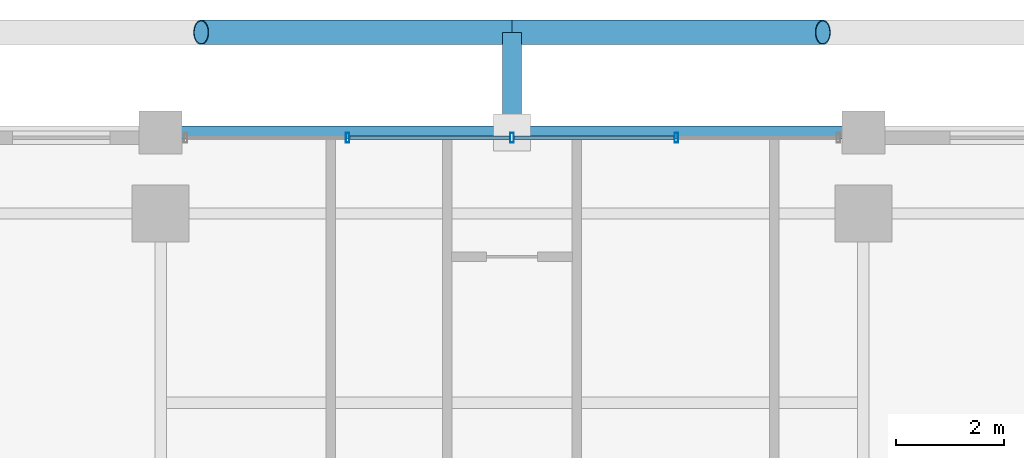
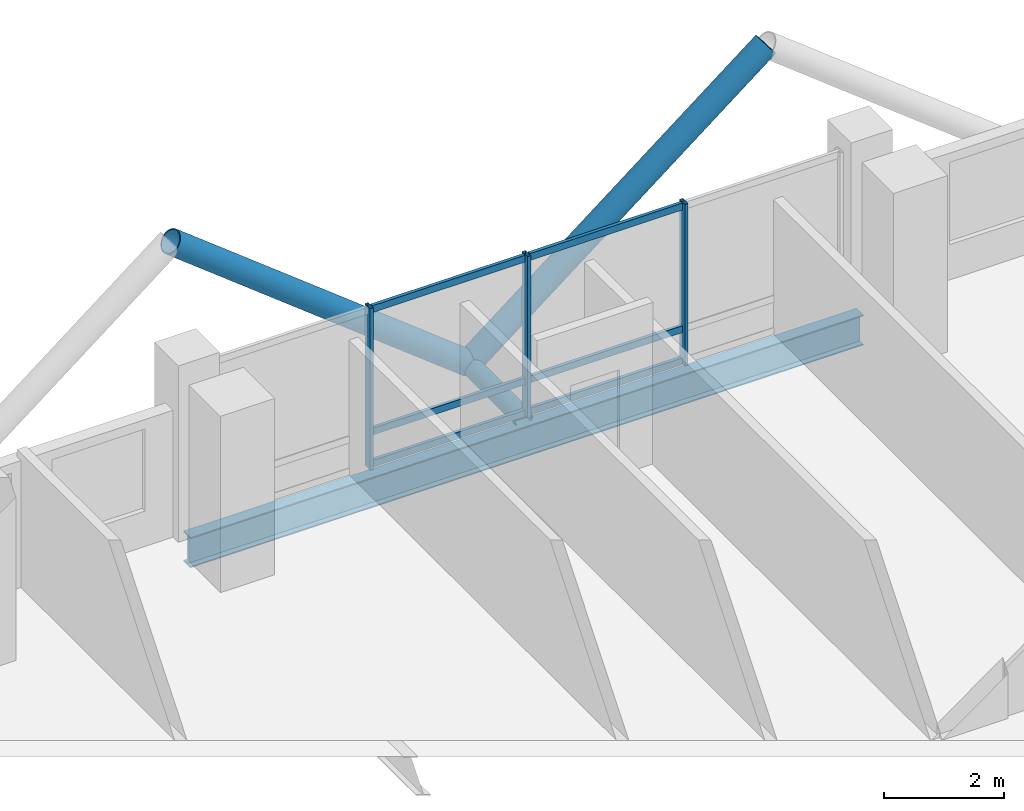
# One storey, part 17 of 25: 12 members, 1 beam, 1 element without a shape of its own.
"""IFC4 building model written with IfcOpenShell, lengths in metres."""

from ifc_helpers import new_model, si_unit, direction, frame, origin, origin_2d, place, context, subcontext, project, spatial, hollow_rectangle, hollow_circle, i_section, extrude, material, layer, layer_set, material_profile, profile_set, type_object, element, aggregate, save


model = new_model("IFC4")

# Units and contexts
model_context = context("Model", 3, precision=1e-05, world=origin(), true_north=direction((0.0, 1.0)))
body_context = subcontext(model_context, "Body", "Model", "MODEL_VIEW")
ifc_project = project(units=[si_unit("LENGTHUNIT", "METRE"), si_unit("AREAUNIT", "SQUARE_METRE"), si_unit("VOLUMEUNIT", "CUBIC_METRE"), si_unit("PLANEANGLEUNIT", "RADIAN"), si_unit("MASSUNIT", "GRAM", prefix="KILO")], contexts=[model_context])

# Site, building, storey
site_placement = place(None, origin())
site = spatial("IfcSite", under=ifc_project, at=site_placement, CompositionType="ELEMENT")
building_placement = place(site_placement, origin())
building = spatial("IfcBuilding", under=site, at=building_placement, Name="Barlavira Tower and Art Museum", CompositionType="ELEMENT")
storey_placement = place(building_placement, frame((0.0, 0.0, 208.800048828125)))
storey = spatial("IfcBuildingStorey", under=building, at=storey_placement, Name="L54", CompositionType="ELEMENT", Elevation=208.800048828125)

# Curtain wall, members
ifc_material_1 = material(Name="Low-iron coastal laminated glass", Category="glass")
ifc_layer = layer(ifc_material_1, 0.199951171875, Name="Low-iron coastal laminated glass")
ifc_layer_set = layer_set([ifc_layer], Name="Low-iron coastal laminated glass")
curtain_wall_type = type_object("IfcCurtainWallType", Name="Pale-Metal Unitised Curtain Wall Zone 3", PredefinedType="NOTDEFINED", material=ifc_layer_set)
curtain_wall_placement = place(storey_placement, origin())
curtain_wall = element("IfcCurtainWall", 1, at=curtain_wall_placement, inside=storey, type_object=curtain_wall_type, Name="L54 Curtain Wall CW3-L54-N-B3", PredefinedType="NOTDEFINED")
ifc_material_2 = material(Name="Pale anodised aluminium", Category="aluminium")
ifc_material_profile_1 = material_profile(ifc_material_2, hollow_rectangle(XDim=0.06494140625, YDim=0.179931640625, WallThickness=0.00390625, at=origin_2d()), Name="ALU-MULL 65x180x4")
ifc_profile_set_1 = profile_set([ifc_material_profile_1], Name="Pale anodised aluminium")
member_type_1 = type_object("IfcMemberType", Name="Curtain Wall Pale-Metal Mullion 65x180", PredefinedType="MULLION", material=ifc_profile_set_1)
member_1_placement = place(storey_placement, frame((3.0400390625, 21.39990234375, 0.0), z_axis=(0.0, 0.0, 1.0), x_axis=(-1.0, 0.0, 0.0)))
member_1 = element("IfcMember", 2, at=member_1_placement, type_object=member_type_1, Name="CW3-L54-N-B3 Mullion 1", PredefinedType="MULLION", context=body_context, shape_type="SweptSolid", body=[
    extrude(hollow_rectangle(XDim=0.06494140625, YDim=0.179931640625, WallThickness=0.00390625, at=origin_2d()), origin(), (0.0, 0.0, 1.0), 3.300048828125),
])
member_2_placement = place(storey_placement, frame((0.0, 21.39990234375, 0.0), z_axis=(0.0, 0.0, 1.0), x_axis=(-1.0, 0.0, 0.0)))
member_2 = element("IfcMember", 3, at=member_2_placement, type_object=member_type_1, Name="CW3-L54-N-B3 Mullion 2", PredefinedType="MULLION", context=body_context, shape_type="SweptSolid", body=[
    extrude(hollow_rectangle(XDim=0.06494140625, YDim=0.179931640625, WallThickness=0.00390625, at=origin_2d()), origin(), (0.0, 0.0, 1.0), 3.300048828125),
])
member_3_placement = place(storey_placement, frame((-3.0400390625, 21.39990234375, 0.0), z_axis=(0.0, 0.0, 1.0), x_axis=(-1.0, 0.0, 0.0)))
member_3 = element("IfcMember", 4, at=member_3_placement, type_object=member_type_1, Name="CW3-L54-N-B3 Mullion 3", PredefinedType="MULLION", context=body_context, shape_type="SweptSolid", body=[
    extrude(hollow_rectangle(XDim=0.06494140625, YDim=0.179931640625, WallThickness=0.00390625, at=origin_2d()), origin(), (0.0, 0.0, 1.0), 3.300048828125),
])
ifc_material_profile_2 = material_profile(ifc_material_2, hollow_rectangle(XDim=0.06494140625, YDim=0.139892578125, WallThickness=0.00390625, at=origin_2d()), Name="ALU-TRAN 65x140x4")
ifc_profile_set_2 = profile_set([ifc_material_profile_2], Name="Pale anodised aluminium")
member_type_2 = type_object("IfcMemberType", Name="Curtain Wall Pale-Metal Transom 65x140", PredefinedType="USERDEFINED", material=ifc_profile_set_2)
member_4_placement = place(storey_placement, frame((2.9951171875, 21.39990234375, 0.070068359375), z_axis=(-1.0, 0.0, 0.0), x_axis=(0.0, -1.0, 0.0)))
member_4 = element("IfcMember", 5, at=member_4_placement, type_object=member_type_2, Name="CW3-L54-N-B3 Transom 1.1", ObjectType="TRANSOM", PredefinedType="USERDEFINED", context=body_context, shape_type="SweptSolid", body=[
    extrude(hollow_rectangle(XDim=0.06494140625, YDim=0.139892578125, WallThickness=0.00390625, at=origin_2d()), origin(), (0.0, 0.0, 1.0), 2.9501953125),
])
member_5_placement = place(storey_placement, frame((2.9951171875, 21.39990234375, 0.725830078125), z_axis=(-1.0, 0.0, 0.0), x_axis=(0.0, -1.0, 0.0)))
member_5 = element("IfcMember", 6, at=member_5_placement, type_object=member_type_2, Name="CW3-L54-N-B3 Transom 1.2", ObjectType="TRANSOM", PredefinedType="USERDEFINED", context=body_context, shape_type="SweptSolid", body=[
    extrude(hollow_rectangle(XDim=0.06494140625, YDim=0.139892578125, WallThickness=0.00390625, at=origin_2d()), origin(), (0.0, 0.0, 1.0), 2.9501953125),
])
member_6_placement = place(storey_placement, frame((2.9951171875, 21.39990234375, 3.22998046875), z_axis=(-1.0, 0.0, 0.0), x_axis=(0.0, -1.0, 0.0)))
member_6 = element("IfcMember", 7, at=member_6_placement, type_object=member_type_2, Name="CW3-L54-N-B3 Transom 1.3", ObjectType="TRANSOM", PredefinedType="USERDEFINED", context=body_context, shape_type="SweptSolid", body=[
    extrude(hollow_rectangle(XDim=0.06494140625, YDim=0.139892578125, WallThickness=0.00390625, at=origin_2d()), origin(), (0.0, 0.0, 1.0), 2.9501953125),
])
member_7_placement = place(storey_placement, frame((-0.044921875, 21.39990234375, 0.070068359375), z_axis=(-1.0, 0.0, 0.0), x_axis=(0.0, -1.0, 0.0)))
member_7 = element("IfcMember", 8, at=member_7_placement, type_object=member_type_2, Name="CW3-L54-N-B3 Transom 2.1", ObjectType="TRANSOM", PredefinedType="USERDEFINED", context=body_context, shape_type="SweptSolid", body=[
    extrude(hollow_rectangle(XDim=0.06494140625, YDim=0.139892578125, WallThickness=0.00390625, at=origin_2d()), origin(), (0.0, 0.0, 1.0), 2.9501953125),
])
member_8_placement = place(storey_placement, frame((-0.044921875, 21.39990234375, 0.725830078125), z_axis=(-1.0, 0.0, 0.0), x_axis=(0.0, -1.0, 0.0)))
member_8 = element("IfcMember", 9, at=member_8_placement, type_object=member_type_2, Name="CW3-L54-N-B3 Transom 2.2", ObjectType="TRANSOM", PredefinedType="USERDEFINED", context=body_context, shape_type="SweptSolid", body=[
    extrude(hollow_rectangle(XDim=0.06494140625, YDim=0.139892578125, WallThickness=0.00390625, at=origin_2d()), origin(), (0.0, 0.0, 1.0), 2.9501953125),
])
member_9_placement = place(storey_placement, frame((-0.044921875, 21.39990234375, 3.22998046875), z_axis=(-1.0, 0.0, 0.0), x_axis=(0.0, -1.0, 0.0)))
member_9 = element("IfcMember", 10, at=member_9_placement, type_object=member_type_2, Name="CW3-L54-N-B3 Transom 2.3", ObjectType="TRANSOM", PredefinedType="USERDEFINED", context=body_context, shape_type="SweptSolid", body=[
    extrude(hollow_rectangle(XDim=0.06494140625, YDim=0.139892578125, WallThickness=0.00390625, at=origin_2d()), origin(), (0.0, 0.0, 1.0), 2.9501953125),
])
aggregate(curtain_wall, [member_1, member_2, member_3, member_4, member_5, member_6, member_7, member_8, member_9])

# Members
ifc_material_3 = material(Name="Steel S355", Category="steel")
ifc_material_profile_3 = material_profile(ifc_material_3, hollow_circle(Radius=0.228515625, WallThickness=0.02001953125, at=origin_2d()), Name="CHS 457.0x20.0")
ifc_profile_set_3 = profile_set([ifc_material_profile_3], Name="Steel S355")
member_type_3 = type_object("IfcMemberType", Name="Pale-Metal Exoskeleton Diagrid Tube CHS 457x20 Steel S355", PredefinedType="BRACE", material=ifc_profile_set_3)
for number, where, z_axis, x_axis, name in (
    (11, (0.0, 23.35009765625, -0.1201171875), (-0.787505001008, 0.0, 0.616308261658), (0.0, -1.0, 0.0), "L54 Exoskeleton Diagrid Tube N"),
    (12, (0.0, 23.35009765625, -0.1201171875), (0.787505001008, 0.0, 0.616308261658), (0.0, 1.0, 0.0), "L54 Exoskeleton Diagrid Tube N"),
):
    element("IfcMember", number, at=place(storey_placement, frame(where, z_axis=z_axis, x_axis=x_axis)), inside=storey, type_object=member_type_3, Name=name, PredefinedType="BRACE", context=body_context, shape_type="SweptSolid", body=[
        extrude(hollow_circle(Radius=0.228515625, WallThickness=0.02001953125, at=origin_2d()), origin(), (0.0, 0.0, 1.0), 7.301513671875),
    ])
ifc_material_profile_4 = material_profile(ifc_material_3, hollow_circle(Radius=0.177734375, WallThickness=0.01611328125, at=origin_2d()), Name="CHS 355.6x16.0")
ifc_profile_set_4 = profile_set([ifc_material_profile_4], Name="Steel S355")
member_type_4 = type_object("IfcMemberType", Name="Pale-Metal Exoskeleton Tie Strut CHS 356x16 Steel S355", PredefinedType="STRUT", material=ifc_profile_set_4)
member_10_placement = place(storey_placement, frame((0.0, 23.35009765625, -0.1201171875), z_axis=(0.0, -1.0, 0.0), x_axis=(1.0, 0.0, 0.0)))
element("IfcMember", 13, at=member_10_placement, inside=storey, type_object=member_type_4, Name="L54 Exoskeleton Tie Strut N2", PredefinedType="STRUT", context=body_context, shape_type="SweptSolid", body=[
    extrude(hollow_circle(Radius=0.177734375, WallThickness=0.01611328125, at=origin_2d()), origin(), (0.0, 0.0, 1.0), 1.85009765625),
])

# Beam
ifc_material_profile_5 = material_profile(ifc_material_3, i_section(OverallWidth=0.22998046875, OverallDepth=0.616943359375, WebThickness=0.01318359375, FlangeThickness=0.022216796875, at=origin_2d()), Name="W610x140.0")
ifc_profile_set_5 = profile_set([ifc_material_profile_5], Name="Steel S355")
beam_type = type_object("IfcBeamType", Name="Upper Shaft Spandrel Edge Beam W610x140 Steel S355", PredefinedType="SPANDREL", material=ifc_profile_set_5)
beam_placement = place(storey_placement, frame((-6.5, 21.5, -0.528564453125), z_axis=(1.0, 0.0, 0.0), x_axis=(0.0, 1.0, 0.0)))
element("IfcBeam", 14, at=beam_placement, inside=storey, type_object=beam_type, Name="L54 Spandrel 10", PredefinedType="SPANDREL", context=body_context, shape_type="SweptSolid", body=[
    extrude(i_section(OverallWidth=0.22998046875, OverallDepth=0.616943359375, WebThickness=0.01318359375, FlangeThickness=0.022216796875, at=origin_2d()), origin(), (0.0, 0.0, 1.0), 13.0),
])

save(model, "model.ifc")
